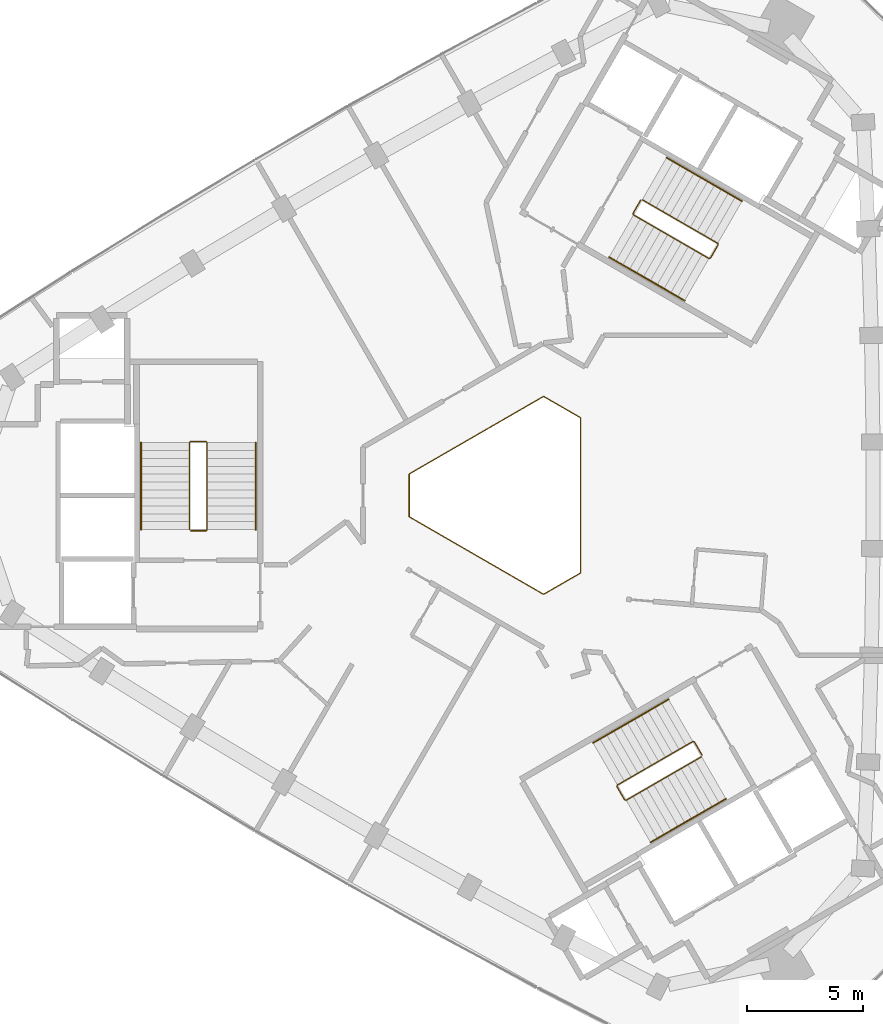
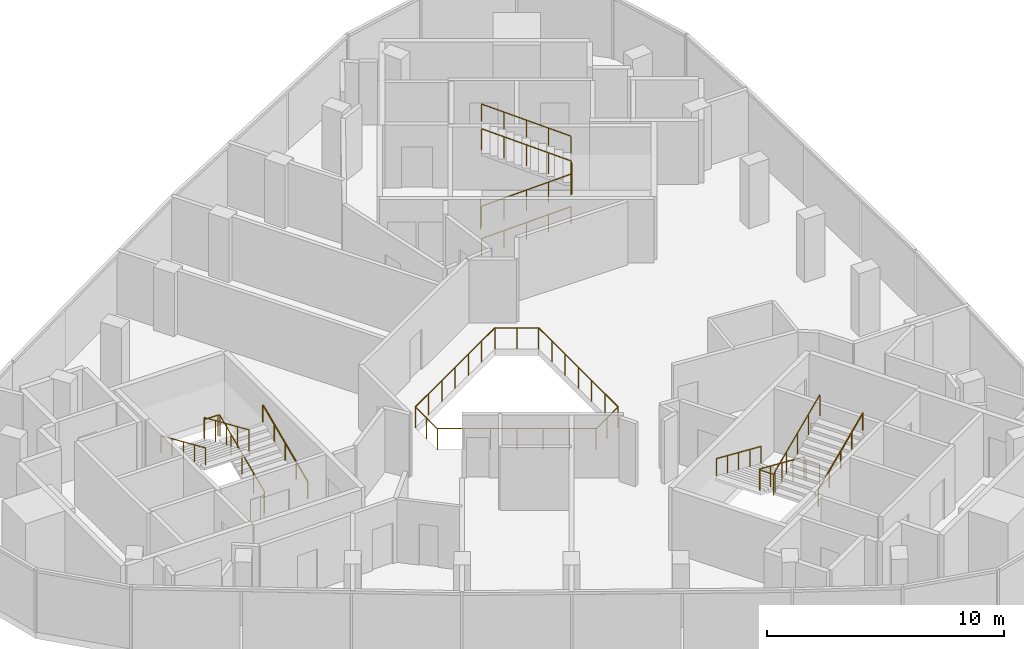
# One storey, part 10 of 10: 10 railings.
"""IFC4 building model written with IfcOpenShell, lengths in metres."""

from ifc_helpers import new_model, si_unit, direction, frame, origin, origin_2d, place, context, subcontext, project, spatial, circle, extrude, material, type_object, element, save


model = new_model("IFC4")

# Units and contexts
model_context = context("Model", 3, precision=1e-05, world=origin(), true_north=direction((0.0, 1.0)))
body_context = subcontext(model_context, "Body", "Model", "MODEL_VIEW")
ifc_project = project(units=[si_unit("LENGTHUNIT", "METRE"), si_unit("AREAUNIT", "SQUARE_METRE"), si_unit("VOLUMEUNIT", "CUBIC_METRE"), si_unit("PLANEANGLEUNIT", "RADIAN"), si_unit("MASSUNIT", "GRAM", prefix="KILO")], contexts=[model_context])

# Site, building, storey
site_placement = place(None, origin())
site = spatial("IfcSite", under=ifc_project, at=site_placement, CompositionType="ELEMENT")
building_placement = place(site_placement, origin())
building = spatial("IfcBuilding", under=site, at=building_placement, Name="Tamra Quay Hotel Tower", CompositionType="ELEMENT")
storey_placement = place(building_placement, frame((0.0, 0.0, 276.60009765625)))
storey = spatial("IfcBuildingStorey", under=building, at=storey_placement, Name="L70", CompositionType="ELEMENT", Elevation=276.60009765625)

# Railings
ifc_material_1 = material(Name="Guard atrium edge 1100")
railing_type_1 = type_object("IfcRailingType", Name="Guard atrium edge 1100", PredefinedType="GUARDRAIL", material=ifc_material_1)
railing_1_placement = place(storey_placement, frame((3.0, -3.34912109375, 0.0)))
element("IfcRailing", 1, at=railing_1_placement, inside=storey, type_object=railing_type_1, Name="G-A", PredefinedType="GUARDRAIL", context=body_context, shape_type="SweptSolid", body=[
    extrude(circle(Radius=0.02392578125, at=origin_2d()), frame((0.0, 0.0, 1.076171875), z_axis=(-0.866251590862, -0.499608027687, 0.0), x_axis=(0.499608027687, -0.866251590862, 0.0)), (0.0, 0.0, 1.0), 1.84716796875),
    extrude(circle(Radius=0.02392578125, at=origin_2d()), frame((-1.60009765625, -0.9228515625, 1.076171875), z_axis=(-0.866065387416, 0.499930739924, 0.0), x_axis=(-0.499930739924, -0.866065387416, 0.0)), (0.0, 0.0, 1.0), 6.69677734375),
    extrude(circle(Radius=0.02392578125, at=origin_2d()), frame((-7.39990234375, 2.425048828125, 1.076171875), z_axis=(0.0, 1.0, 0.0), x_axis=(-1.0, 0.0, 0.0)), (0.0, 0.0, 1.0), 1.84814453125),
    extrude(circle(Radius=0.02392578125, at=origin_2d()), frame((-7.39990234375, 4.273193359375, 1.076171875), z_axis=(0.866065387416, 0.499930739924, 0.0), x_axis=(-0.499930739924, 0.866065387416, 0.0)), (0.0, 0.0, 1.0), 6.69677734375),
    extrude(circle(Radius=0.02392578125, at=origin_2d()), frame((-1.60009765625, 7.62109375, 1.076171875), z_axis=(0.866251590862, -0.499608027687, 0.0), x_axis=(0.499608027687, 0.866251590862, 0.0)), (0.0, 0.0, 1.0), 1.84716796875),
    extrude(circle(Radius=0.02392578125, at=origin_2d()), frame((0.0, 6.6982421875, 1.076171875), z_axis=(0.0, -1.0, 0.0), x_axis=(1.0, 0.0, 0.0)), (0.0, 0.0, 1.0), 6.6982421875),
    extrude(circle(Radius=0.02099609375, at=origin_2d()), origin(), (0.0, 0.0, 1.0), 1.052001953125),
    extrude(circle(Radius=0.02099609375, at=origin_2d()), frame((-0.800048828125, -0.46142578125, 0.0)), (0.0, 0.0, 1.0), 1.052001953125),
    extrude(circle(Radius=0.02099609375, at=origin_2d()), frame((-1.60009765625, -0.9228515625, 0.0)), (0.0, 0.0, 1.0), 1.052001953125),
    extrude(circle(Radius=0.02099609375, at=origin_2d()), frame((-2.566650390625, -0.36474609375, 0.0)), (0.0, 0.0, 1.0), 1.052001953125),
    extrude(circle(Radius=0.02099609375, at=origin_2d()), frame((-3.533447265625, 0.193115234375, 0.0)), (0.0, 0.0, 1.0), 1.052001953125),
    extrude(circle(Radius=0.02099609375, at=origin_2d()), frame((-4.5, 0.7509765625, 0.0)), (0.0, 0.0, 1.0), 1.052001953125),
    extrude(circle(Radius=0.02099609375, at=origin_2d()), frame((-5.466552734375, 1.30908203125, 0.0)), (0.0, 0.0, 1.0), 1.052001953125),
    extrude(circle(Radius=0.02099609375, at=origin_2d()), frame((-6.433349609375, 1.8671875, 0.0)), (0.0, 0.0, 1.0), 1.052001953125),
    extrude(circle(Radius=0.02099609375, at=origin_2d()), frame((-7.39990234375, 2.425048828125, 0.0)), (0.0, 0.0, 1.0), 1.052001953125),
    extrude(circle(Radius=0.02099609375, at=origin_2d()), frame((-7.39990234375, 3.34912109375, 0.0)), (0.0, 0.0, 1.0), 1.052001953125),
    extrude(circle(Radius=0.02099609375, at=origin_2d()), frame((-7.39990234375, 4.273193359375, 0.0)), (0.0, 0.0, 1.0), 1.052001953125),
    extrude(circle(Radius=0.02099609375, at=origin_2d()), frame((-6.433349609375, 4.8310546875, 0.0)), (0.0, 0.0, 1.0), 1.052001953125),
    extrude(circle(Radius=0.02099609375, at=origin_2d()), frame((-5.466552734375, 5.38916015625, 0.0)), (0.0, 0.0, 1.0), 1.052001953125),
    extrude(circle(Radius=0.02099609375, at=origin_2d()), frame((-4.5, 5.947265625, 0.0)), (0.0, 0.0, 1.0), 1.052001953125),
    extrude(circle(Radius=0.02099609375, at=origin_2d()), frame((-3.533447265625, 6.505126953125, 0.0)), (0.0, 0.0, 1.0), 1.052001953125),
    extrude(circle(Radius=0.02099609375, at=origin_2d()), frame((-2.566650390625, 7.06298828125, 0.0)), (0.0, 0.0, 1.0), 1.052001953125),
    extrude(circle(Radius=0.02099609375, at=origin_2d()), frame((-1.60009765625, 7.62109375, 0.0)), (0.0, 0.0, 1.0), 1.052001953125),
    extrude(circle(Radius=0.02099609375, at=origin_2d()), frame((-0.800048828125, 7.15966796875, 0.0)), (0.0, 0.0, 1.0), 1.052001953125),
    extrude(circle(Radius=0.02099609375, at=origin_2d()), frame((0.0, 6.6982421875, 0.0)), (0.0, 0.0, 1.0), 1.052001953125),
    extrude(circle(Radius=0.02099609375, at=origin_2d()), frame((0.0, 5.581787109375, 0.0)), (0.0, 0.0, 1.0), 1.052001953125),
    extrude(circle(Radius=0.02099609375, at=origin_2d()), frame((0.0, 4.465576171875, 0.0)), (0.0, 0.0, 1.0), 1.052001953125),
    extrude(circle(Radius=0.02099609375, at=origin_2d()), frame((0.0, 3.34912109375, 0.0)), (0.0, 0.0, 1.0), 1.052001953125),
    extrude(circle(Radius=0.02099609375, at=origin_2d()), frame((0.0, 2.232666015625, 0.0)), (0.0, 0.0, 1.0), 1.052001953125),
    extrude(circle(Radius=0.02099609375, at=origin_2d()), frame((0.0, 1.116455078125, 0.0)), (0.0, 0.0, 1.0), 1.052001953125),
])
ifc_material_2 = material(Name="Stair guard 1100")
railing_type_2 = type_object("IfcRailingType", Name="Stair guard 1100", PredefinedType="GUARDRAIL", material=ifc_material_2)
railing_2_placement = place(storey_placement, frame((-13.84130859375, -1.530029296875, 0.0)))
element("IfcRailing", 2, at=railing_2_placement, inside=storey, type_object=railing_type_2, Name="GR", PredefinedType="GUARDRAIL", context=body_context, shape_type="SweptSolid", body=[
    extrude(circle(Radius=0.02392578125, at=origin_2d()), frame((0.0, 0.0, 1.076171875), z_axis=(1.0, 0.0, 0.0), x_axis=(0.0, 1.0, 0.0)), (0.0, 0.0, 1.0), 0.658935546875),
    extrude(circle(Radius=0.02392578125, at=origin_2d()), frame((0.658935546875, 0.0, 1.076171875), z_axis=(0.301912943143, 0.301912943143, 0.904266083366), x_axis=(-0.707106781187, 0.707106781187, 0.0)), (0.0, 0.0, 1.0), 0.165771484375),
    extrude(circle(Radius=0.02392578125, at=origin_2d()), frame((0.708984375, 0.050048828125, 1.22607421875), z_axis=(0.0, 0.915795495799, 0.401644880304), x_axis=(-1.0, 0.0, 0.0)), (0.0, 0.0, 1.0), 4.10791015625),
    extrude(circle(Radius=0.02392578125, at=origin_2d()), frame((0.708984375, 3.81201171875, 2.8759765625), z_axis=(-0.708833529934, 0.705375805398, 0.0), x_axis=(-0.705375805398, -0.708833529934, 0.0)), (0.0, 0.0, 1.0), 0.070556640625),
    extrude(circle(Radius=0.02392578125, at=origin_2d()), frame((0.658935546875, 3.86181640625, 2.8759765625), z_axis=(-1.0, 0.0, 0.0), x_axis=(0.0, -1.0, 0.0)), (0.0, 0.0, 1.0), 0.658935546875),
    extrude(circle(Radius=0.02392578125, at=origin_2d()), frame((0.0, 3.86181640625, 2.8759765625), z_axis=(-0.301644814947, -0.300173376825, 0.904934444842), x_axis=(0.705375805398, -0.708833529934, 0.0)), (0.0, 0.0, 1.0), 0.166015625),
    extrude(circle(Radius=0.02392578125, at=origin_2d()), frame((-0.050048828125, 3.81201171875, 3.02587890625), z_axis=(0.0, -0.915795495799, 0.401644880304), x_axis=(1.0, 0.0, 0.0)), (0.0, 0.0, 1.0), 4.10791015625),
    extrude(circle(Radius=0.02099609375, at=origin_2d()), origin(), (0.0, 0.0, 1.0), 1.052001953125),
    extrude(circle(Radius=0.02099609375, at=origin_2d()), frame((0.658935546875, 0.0, 0.0)), (0.0, 0.0, 1.0), 1.052001953125),
    extrude(circle(Radius=0.02099609375, at=origin_2d()), frame((0.708984375, 0.050048828125, 0.14990234375)), (0.0, 0.0, 1.0), 1.052001953125),
    extrude(circle(Radius=0.02099609375, at=origin_2d()), frame((0.708984375, 0.990478515625, 0.5625)), (0.0, 0.0, 1.0), 1.052001953125),
    extrude(circle(Radius=0.02099609375, at=origin_2d()), frame((0.708984375, 1.93115234375, 0.974853515625)), (0.0, 0.0, 1.0), 1.052001953125),
    extrude(circle(Radius=0.02099609375, at=origin_2d()), frame((0.708984375, 2.87158203125, 1.38720703125)), (0.0, 0.0, 1.0), 1.052001953125),
    extrude(circle(Radius=0.02099609375, at=origin_2d()), frame((0.708984375, 3.81201171875, 1.7998046875)), (0.0, 0.0, 1.0), 1.052001953125),
    extrude(circle(Radius=0.02099609375, at=origin_2d()), frame((0.658935546875, 3.86181640625, 1.7998046875)), (0.0, 0.0, 1.0), 1.052001953125),
    extrude(circle(Radius=0.02099609375, at=origin_2d()), frame((0.0, 3.86181640625, 1.7998046875)), (0.0, 0.0, 1.0), 1.052001953125),
    extrude(circle(Radius=0.02099609375, at=origin_2d()), frame((-0.050048828125, 3.81201171875, 1.949951171875)), (0.0, 0.0, 1.0), 1.052001953125),
    extrude(circle(Radius=0.02099609375, at=origin_2d()), frame((-0.050048828125, 2.87158203125, 2.3623046875)), (0.0, 0.0, 1.0), 1.052001953125),
    extrude(circle(Radius=0.02099609375, at=origin_2d()), frame((-0.050048828125, 1.93115234375, 2.77490234375)), (0.0, 0.0, 1.0), 1.052001953125),
    extrude(circle(Radius=0.02099609375, at=origin_2d()), frame((-0.050048828125, 0.990478515625, 3.1875)), (0.0, 0.0, 1.0), 1.052001953125),
    extrude(circle(Radius=0.02099609375, at=origin_2d()), frame((-0.050048828125, 0.050048828125, 3.599853515625)), (0.0, 0.0, 1.0), 1.052001953125),
])
railing_3_placement = place(storey_placement, frame((5.595458984375, 12.751953125, 0.0)))
element("IfcRailing", 3, at=railing_3_placement, inside=storey, type_object=railing_type_2, Name="GR", PredefinedType="GUARDRAIL", context=body_context, shape_type="SweptSolid", body=[
    extrude(circle(Radius=0.02392578125, at=origin_2d()), frame((0.0, 0.0, 1.076171875), z_axis=(-0.499765215335, -0.866160914346, 0.0), x_axis=(0.866160914346, -0.499765215335, 0.0)), (0.0, 0.0, 1.0), 0.658935546875),
    extrude(circle(Radius=0.02392578125, at=origin_2d()), frame((-0.329345703125, -0.57080078125, 1.076171875), z_axis=(0.110525977783, -0.411156637351, 0.904839338113), x_axis=(0.965715946433, 0.259601060869, 0.0)), (0.0, 0.0, 1.0), 0.165771484375),
    extrude(circle(Radius=0.02392578125, at=origin_2d()), frame((-0.31103515625, -0.638916015625, 1.22607421875), z_axis=(0.793078462799, -0.457933869594, 0.401650498471), x_axis=(0.500040788363, 0.866001853331, 0.0)), (0.0, 0.0, 1.0), 4.10791015625),
    extrude(circle(Radius=0.02392578125, at=origin_2d()), frame((2.94677734375, -2.52001953125, 2.8759765625), z_axis=(0.965948051503, 0.258736085224, 0.0), x_axis=(-0.258736085224, 0.965948051503, 0.0)), (0.0, 0.0, 1.0), 0.07080078125),
    extrude(circle(Radius=0.02392578125, at=origin_2d()), frame((3.01513671875, -2.501708984375, 2.8759765625), z_axis=(0.500043078269, 0.866000531106, 0.0), x_axis=(-0.866000531106, 0.500043078269, 0.0)), (0.0, 0.0, 1.0), 0.6591796875),
    extrude(circle(Radius=0.02392578125, at=origin_2d()), frame((3.3447265625, -1.930908203125, 2.8759765625), z_axis=(-0.110378772244, 0.410609032747, 0.905105932399), x_axis=(-0.965715946433, -0.259601060869, 0.0)), (0.0, 0.0, 1.0), 0.165771484375),
    extrude(circle(Radius=0.02392578125, at=origin_2d()), frame((3.326416015625, -1.86279296875, 3.02587890625), z_axis=(-0.793100512587, 0.457912285461, 0.401631567183), x_axis=(-0.500012686397, -0.866018079166, 0.0)), (0.0, 0.0, 1.0), 4.10791015625),
    extrude(circle(Radius=0.02099609375, at=origin_2d()), origin(), (0.0, 0.0, 1.0), 1.052001953125),
    extrude(circle(Radius=0.02099609375, at=origin_2d()), frame((-0.329345703125, -0.57080078125, 0.0)), (0.0, 0.0, 1.0), 1.052001953125),
    extrude(circle(Radius=0.02099609375, at=origin_2d()), frame((-0.31103515625, -0.638916015625, 0.14990234375)), (0.0, 0.0, 1.0), 1.052001953125),
    extrude(circle(Radius=0.02099609375, at=origin_2d()), frame((0.50341796875, -1.109130859375, 0.5625)), (0.0, 0.0, 1.0), 1.052001953125),
    extrude(circle(Radius=0.02099609375, at=origin_2d()), frame((1.31787109375, -1.57958984375, 0.974853515625)), (0.0, 0.0, 1.0), 1.052001953125),
    extrude(circle(Radius=0.02099609375, at=origin_2d()), frame((2.13232421875, -2.0498046875, 1.38720703125)), (0.0, 0.0, 1.0), 1.052001953125),
    extrude(circle(Radius=0.02099609375, at=origin_2d()), frame((2.94677734375, -2.52001953125, 1.7998046875)), (0.0, 0.0, 1.0), 1.052001953125),
    extrude(circle(Radius=0.02099609375, at=origin_2d()), frame((3.01513671875, -2.501708984375, 1.7998046875)), (0.0, 0.0, 1.0), 1.052001953125),
    extrude(circle(Radius=0.02099609375, at=origin_2d()), frame((3.3447265625, -1.930908203125, 1.7998046875)), (0.0, 0.0, 1.0), 1.052001953125),
    extrude(circle(Radius=0.02099609375, at=origin_2d()), frame((3.326416015625, -1.86279296875, 1.949951171875)), (0.0, 0.0, 1.0), 1.052001953125),
    extrude(circle(Radius=0.02099609375, at=origin_2d()), frame((2.511962890625, -1.392578125, 2.3623046875)), (0.0, 0.0, 1.0), 1.052001953125),
    extrude(circle(Radius=0.02099609375, at=origin_2d()), frame((1.697265625, -0.92236328125, 2.77490234375)), (0.0, 0.0, 1.0), 1.052001953125),
    extrude(circle(Radius=0.02099609375, at=origin_2d()), frame((0.8828125, -0.451904296875, 3.1875)), (0.0, 0.0, 1.0), 1.052001953125),
    extrude(circle(Radius=0.02099609375, at=origin_2d()), frame((0.068359375, 0.018310546875, 3.599853515625)), (0.0, 0.0, 1.0), 1.052001953125),
])
railing_4_placement = place(storey_placement, frame((8.245849609375, -11.221923828125, 0.0)))
element("IfcRailing", 4, at=railing_4_placement, inside=storey, type_object=railing_type_2, Name="GR", PredefinedType="GUARDRAIL", context=body_context, shape_type="SweptSolid", body=[
    extrude(circle(Radius=0.02392578125, at=origin_2d()), frame((0.0, 0.0, 1.076171875), z_axis=(-0.500043078269, 0.866000531106, 0.0), x_axis=(-0.866000531106, -0.500043078269, 0.0)), (0.0, 0.0, 1.0), 0.6591796875),
    extrude(circle(Radius=0.02392578125, at=origin_2d()), frame((-0.32958984375, 0.57080078125, 1.076171875), z_axis=(-0.41238007866, 0.110458949641, 0.904290601062), x_axis=(-0.258736085224, -0.965948051503, 0.0)), (0.0, 0.0, 1.0), 0.165771484375),
    extrude(circle(Radius=0.02392578125, at=origin_2d()), frame((-0.39794921875, 0.589111328125, 1.22607421875), z_axis=(-0.793100512587, -0.457912285461, 0.401631567183), x_axis=(0.500012686397, -0.866018079166, 0.0)), (0.0, 0.0, 1.0), 4.10791015625),
    extrude(circle(Radius=0.02392578125, at=origin_2d()), frame((-3.656005859375, -1.2919921875, 2.8759765625), z_axis=(-0.256368644879, -0.966579080015, 0.0), x_axis=(0.966579080015, -0.256368644879, 0.0)), (0.0, 0.0, 1.0), 0.070556640625),
    extrude(circle(Radius=0.02392578125, at=origin_2d()), frame((-3.674072265625, -1.360107421875, 2.8759765625), z_axis=(0.499765215335, -0.866160914346, 0.0), x_axis=(0.866160914346, 0.499765215335, 0.0)), (0.0, 0.0, 1.0), 0.658935546875),
    extrude(circle(Radius=0.02392578125, at=origin_2d()), frame((-3.3447265625, -1.930908203125, 2.8759765625), z_axis=(0.411831509231, -0.110312011401, 0.90455849349), x_axis=(0.258736085224, 0.965948051503, 0.0)), (0.0, 0.0, 1.0), 0.166015625),
    extrude(circle(Radius=0.02392578125, at=origin_2d()), frame((-3.2763671875, -1.94921875, 3.02587890625), z_axis=(0.793100512587, 0.457912285461, 0.401631567183), x_axis=(-0.500012686397, 0.866018079166, 0.0)), (0.0, 0.0, 1.0), 4.10791015625),
    extrude(circle(Radius=0.02099609375, at=origin_2d()), origin(), (0.0, 0.0, 1.0), 1.052001953125),
    extrude(circle(Radius=0.02099609375, at=origin_2d()), frame((-0.32958984375, 0.57080078125, 0.0)), (0.0, 0.0, 1.0), 1.052001953125),
    extrude(circle(Radius=0.02099609375, at=origin_2d()), frame((-0.39794921875, 0.589111328125, 0.14990234375)), (0.0, 0.0, 1.0), 1.052001953125),
    extrude(circle(Radius=0.02099609375, at=origin_2d()), frame((-1.21240234375, 0.118896484375, 0.5625)), (0.0, 0.0, 1.0), 1.052001953125),
    extrude(circle(Radius=0.02099609375, at=origin_2d()), frame((-2.02685546875, -0.3515625, 0.974853515625)), (0.0, 0.0, 1.0), 1.052001953125),
    extrude(circle(Radius=0.02099609375, at=origin_2d()), frame((-2.841552734375, -0.82177734375, 1.38720703125)), (0.0, 0.0, 1.0), 1.052001953125),
    extrude(circle(Radius=0.02099609375, at=origin_2d()), frame((-3.656005859375, -1.2919921875, 1.7998046875)), (0.0, 0.0, 1.0), 1.052001953125),
    extrude(circle(Radius=0.02099609375, at=origin_2d()), frame((-3.674072265625, -1.360107421875, 1.7998046875)), (0.0, 0.0, 1.0), 1.052001953125),
    extrude(circle(Radius=0.02099609375, at=origin_2d()), frame((-3.3447265625, -1.930908203125, 1.7998046875)), (0.0, 0.0, 1.0), 1.052001953125),
    extrude(circle(Radius=0.02099609375, at=origin_2d()), frame((-3.2763671875, -1.94921875, 1.949951171875)), (0.0, 0.0, 1.0), 1.052001953125),
    extrude(circle(Radius=0.02099609375, at=origin_2d()), frame((-2.4619140625, -1.47900390625, 2.3623046875)), (0.0, 0.0, 1.0), 1.052001953125),
    extrude(circle(Radius=0.02099609375, at=origin_2d()), frame((-1.6474609375, -1.0087890625, 2.77490234375)), (0.0, 0.0, 1.0), 1.052001953125),
    extrude(circle(Radius=0.02099609375, at=origin_2d()), frame((-0.832763671875, -0.538330078125, 3.1875)), (0.0, 0.0, 1.0), 1.052001953125),
    extrude(circle(Radius=0.02099609375, at=origin_2d()), frame((-0.018310546875, -0.068115234375, 3.599853515625)), (0.0, 0.0, 1.0), 1.052001953125),
])
ifc_material_3 = material(Name="Stair handrail 900")
railing_type_3 = type_object("IfcRailingType", Name="Stair handrail 900", PredefinedType="HANDRAIL", material=ifc_material_3)
railing_5_placement = place(storey_placement, frame((-11.0322265625, -1.47998046875, 0.14990234375)))
element("IfcRailing", 5, at=railing_5_placement, inside=storey, type_object=railing_type_3, Name="HR", PredefinedType="HANDRAIL", context=body_context, shape_type="SweptSolid", body=[
    extrude(circle(Radius=0.02392578125, at=origin_2d()), frame((0.0, 0.0, 0.8759765625), z_axis=(0.0, 0.915795495799, 0.401644880304), x_axis=(-1.0, 0.0, 0.0)), (0.0, 0.0, 1.0), 4.10791015625),
    extrude(circle(Radius=0.02099609375, at=origin_2d()), origin(), (0.0, 0.0, 1.0), 0.851806640625),
    extrude(circle(Radius=0.02099609375, at=origin_2d()), frame((0.0, 0.9404296875, 0.41259765625)), (0.0, 0.0, 1.0), 0.851806640625),
    extrude(circle(Radius=0.02099609375, at=origin_2d()), frame((0.0, 1.880859375, 0.824951171875)), (0.0, 0.0, 1.0), 0.851806640625),
    extrude(circle(Radius=0.02099609375, at=origin_2d()), frame((0.0, 2.821533203125, 1.2373046875)), (0.0, 0.0, 1.0), 0.851806640625),
    extrude(circle(Radius=0.02099609375, at=origin_2d()), frame((0.0, 3.761962890625, 1.64990234375)), (0.0, 0.0, 1.0), 0.851806640625),
])
railing_6_placement = place(storey_placement, frame((-15.9912109375, 2.281982421875, 1.949951171875)))
element("IfcRailing", 6, at=railing_6_placement, inside=storey, type_object=railing_type_3, Name="HR", PredefinedType="HANDRAIL", context=body_context, shape_type="SweptSolid", body=[
    extrude(circle(Radius=0.02392578125, at=origin_2d()), frame((0.0, 0.0, 0.8759765625), z_axis=(0.0, -0.915795495799, 0.401644880304), x_axis=(1.0, 0.0, 0.0)), (0.0, 0.0, 1.0), 4.10791015625),
    extrude(circle(Radius=0.02099609375, at=origin_2d()), origin(), (0.0, 0.0, 1.0), 0.851806640625),
    extrude(circle(Radius=0.02099609375, at=origin_2d()), frame((0.0, -0.9404296875, 0.41259765625)), (0.0, 0.0, 1.0), 0.851806640625),
    extrude(circle(Radius=0.02099609375, at=origin_2d()), frame((0.0, -1.880859375, 0.824951171875)), (0.0, 0.0, 1.0), 0.851806640625),
    extrude(circle(Radius=0.02099609375, at=origin_2d()), frame((0.0, -2.821533203125, 1.2373046875)), (0.0, 0.0, 1.0), 0.851806640625),
    extrude(circle(Radius=0.02099609375, at=origin_2d()), frame((0.0, -3.761962890625, 1.64990234375)), (0.0, 0.0, 1.0), 0.851806640625),
])
railing_7_placement = place(storey_placement, frame((4.234375, 10.294189453125, 0.14990234375)))
element("IfcRailing", 7, at=railing_7_placement, inside=storey, type_object=railing_type_3, Name="HR", PredefinedType="HANDRAIL", context=body_context, shape_type="SweptSolid", body=[
    extrude(circle(Radius=0.02392578125, at=origin_2d()), frame((0.0, 0.0, 0.8759765625), z_axis=(0.793122095483, -0.45786531462, 0.401642496911), x_axis=(0.499964013922, 0.86604617936, 0.0)), (0.0, 0.0, 1.0), 4.10791015625),
    extrude(circle(Radius=0.02099609375, at=origin_2d()), origin(), (0.0, 0.0, 1.0), 0.851806640625),
    extrude(circle(Radius=0.02099609375, at=origin_2d()), frame((0.814453125, -0.47021484375, 0.41259765625)), (0.0, 0.0, 1.0), 0.851806640625),
    extrude(circle(Radius=0.02099609375, at=origin_2d()), frame((1.62890625, -0.9404296875, 0.824951171875)), (0.0, 0.0, 1.0), 0.851806640625),
    extrude(circle(Radius=0.02099609375, at=origin_2d()), frame((2.443603515625, -1.41064453125, 1.2373046875)), (0.0, 0.0, 1.0), 0.851806640625),
    extrude(circle(Radius=0.02099609375, at=origin_2d()), frame((3.258056640625, -1.880859375, 1.64990234375)), (0.0, 0.0, 1.0), 0.851806640625),
])
railing_8_placement = place(storey_placement, frame((9.971923828125, 12.7080078125, 1.949951171875)))
element("IfcRailing", 8, at=railing_8_placement, inside=storey, type_object=railing_type_3, Name="HR", PredefinedType="HANDRAIL", context=body_context, shape_type="SweptSolid", body=[
    extrude(circle(Radius=0.02392578125, at=origin_2d()), frame((0.0, 0.0, 0.8759765625), z_axis=(-0.793122095483, 0.45786531462, 0.401642496911), x_axis=(-0.499964013922, -0.86604617936, 0.0)), (0.0, 0.0, 1.0), 4.10791015625),
    extrude(circle(Radius=0.02099609375, at=origin_2d()), origin(), (0.0, 0.0, 1.0), 0.851806640625),
    extrude(circle(Radius=0.02099609375, at=origin_2d()), frame((-0.814453125, 0.47021484375, 0.41259765625)), (0.0, 0.0, 1.0), 0.851806640625),
    extrude(circle(Radius=0.02099609375, at=origin_2d()), frame((-1.62890625, 0.9404296875, 0.824951171875)), (0.0, 0.0, 1.0), 0.851806640625),
    extrude(circle(Radius=0.02099609375, at=origin_2d()), frame((-2.443603515625, 1.41064453125, 1.2373046875)), (0.0, 0.0, 1.0), 0.851806640625),
    extrude(circle(Radius=0.02099609375, at=origin_2d()), frame((-3.258056640625, 1.880859375, 1.64990234375)), (0.0, 0.0, 1.0), 0.851806640625),
])
railing_9_placement = place(storey_placement, frame((6.7978515625, -8.814208984375, 0.14990234375)))
element("IfcRailing", 9, at=railing_9_placement, inside=storey, type_object=railing_type_3, Name="HR", PredefinedType="HANDRAIL", context=body_context, shape_type="SweptSolid", body=[
    extrude(circle(Radius=0.02392578125, at=origin_2d()), frame((0.0, 0.0, 0.8759765625), z_axis=(-0.79310004713, -0.457886897714, 0.401661429744), x_axis=(0.499992114976, -0.866029956157, 0.0)), (0.0, 0.0, 1.0), 4.107666015625),
    extrude(circle(Radius=0.02099609375, at=origin_2d()), origin(), (0.0, 0.0, 1.0), 0.851806640625),
    extrude(circle(Radius=0.02099609375, at=origin_2d()), frame((-0.814453125, -0.47021484375, 0.41259765625)), (0.0, 0.0, 1.0), 0.851806640625),
    extrude(circle(Radius=0.02099609375, at=origin_2d()), frame((-1.62890625, -0.9404296875, 0.824951171875)), (0.0, 0.0, 1.0), 0.851806640625),
    extrude(circle(Radius=0.02099609375, at=origin_2d()), frame((-2.443359375, -1.41064453125, 1.2373046875)), (0.0, 0.0, 1.0), 0.851806640625),
    extrude(circle(Radius=0.02099609375, at=origin_2d()), frame((-3.2578125, -1.880859375, 1.64990234375)), (0.0, 0.0, 1.0), 0.851806640625),
])
railing_10_placement = place(storey_placement, frame((6.01953125, -14.98974609375, 1.949951171875)))
element("IfcRailing", 10, at=railing_10_placement, inside=storey, type_object=railing_type_3, Name="HR", PredefinedType="HANDRAIL", context=body_context, shape_type="SweptSolid", body=[
    extrude(circle(Radius=0.02392578125, at=origin_2d()), frame((0.0, 0.0, 0.8759765625), z_axis=(0.79310004713, 0.457886897714, 0.401661429744), x_axis=(-0.499992114976, 0.866029956157, 0.0)), (0.0, 0.0, 1.0), 4.107666015625),
    extrude(circle(Radius=0.02099609375, at=origin_2d()), origin(), (0.0, 0.0, 1.0), 0.851806640625),
    extrude(circle(Radius=0.02099609375, at=origin_2d()), frame((0.814453125, 0.47021484375, 0.41259765625)), (0.0, 0.0, 1.0), 0.851806640625),
    extrude(circle(Radius=0.02099609375, at=origin_2d()), frame((1.62890625, 0.9404296875, 0.824951171875)), (0.0, 0.0, 1.0), 0.851806640625),
    extrude(circle(Radius=0.02099609375, at=origin_2d()), frame((2.443359375, 1.41064453125, 1.2373046875)), (0.0, 0.0, 1.0), 0.851806640625),
    extrude(circle(Radius=0.02099609375, at=origin_2d()), frame((3.2578125, 1.880859375, 1.64990234375)), (0.0, 0.0, 1.0), 0.851806640625),
])

save(model, "model.ifc")
